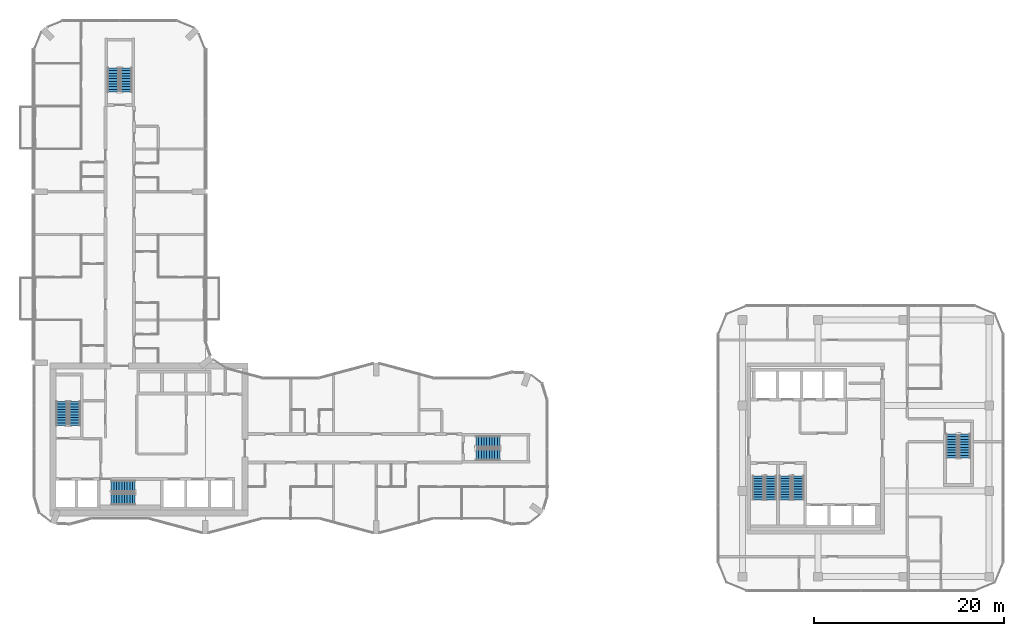
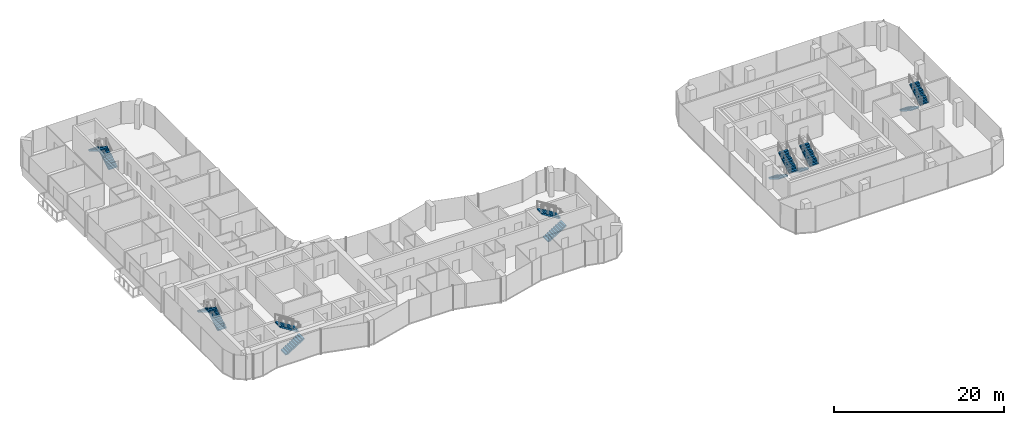
# One storey, part 19 of 22: 14 stair flights, 7 elements without a shape of their own.
"""IFC4 building model written with IfcOpenShell, lengths in metres."""

from ifc_helpers import new_model, si_unit, direction, frame, origin, place, context, subcontext, project, spatial, polyline, outline, extrude, material, type_object, element, aggregate, save


model = new_model("IFC4")

# Units and contexts
model_context = context("Model", 3, precision=1e-05, world=origin(), true_north=direction((0.0, 1.0)))
body_context = subcontext(model_context, "Body", "Model", "MODEL_VIEW")
ifc_project = project(units=[si_unit("LENGTHUNIT", "METRE"), si_unit("AREAUNIT", "SQUARE_METRE"), si_unit("VOLUMEUNIT", "CUBIC_METRE"), si_unit("PLANEANGLEUNIT", "RADIAN"), si_unit("MASSUNIT", "GRAM", prefix="KILO")], contexts=[model_context])

# Site, building, storey
site_placement = place(None, origin())
site = spatial("IfcSite", under=ifc_project, at=site_placement, CompositionType="ELEMENT")
building_placement = place(site_placement, origin())
building = spatial("IfcBuilding", under=site, at=building_placement, Name="Plateau Cross Towers", CompositionType="ELEMENT")
storey_placement = place(building_placement, frame((0.0, 0.0, 113.300048828125)))
storey = spatial("IfcBuildingStorey", under=building, at=storey_placement, Name="L29", CompositionType="ELEMENT", Elevation=113.300048828125)

# Stair, stair flights
ifc_material = material(Name="Concrete C40/50", Category="concrete")
stair_type = type_object("IfcStairType", Name="ST-TWR", PredefinedType="HALF_TURN_STAIR", material=ifc_material)
stair_1_placement = place(storey_placement, origin())
stair_1 = element("IfcStair", 1, at=stair_1_placement, inside=storey, type_object=stair_type, Name="L29 Protected Exit Stair ST-1", PredefinedType="HALF_TURN_STAIR")
stair_flight_type = type_object("IfcStairFlightType", Name="SFL-RC", PredefinedType="STRAIGHT", material=ifc_material)
stair_flight_1_placement = place(storey_placement, frame((4.25, 11.39990234375, 0.0), z_axis=(0.0, 0.0, 1.0), x_axis=(0.0, 1.0, 0.0)))
stair_flight_1 = element("IfcStairFlight", 2, at=stair_flight_1_placement, type_object=stair_flight_type, Name="ST-1 flight 1", NumberOfRisers=10, NumberOfTreads=9, PredefinedType="STRAIGHT", RiserHeight=0.175, TreadLength=0.28, context=body_context, shape_type="SweptSolid", body=[
    extrude(outline(polyline([(-0.0048828125, -0.010009765625), (-0.0048828125, 0.0), (0.0, 0.0), (0.0, 0.175048828125), (0.280029296875, 0.175048828125), (0.280029296875, 0.35009765625), (0.56005859375, 0.35009765625), (0.56005859375, 0.52490234375), (0.840087890625, 0.52490234375), (0.840087890625, 0.699951171875), (1.1201171875, 0.699951171875), (1.1201171875, 0.875), (1.39990234375, 0.875), (1.39990234375, 1.050048828125), (1.679931640625, 1.050048828125), (1.679931640625, 1.22509765625), (1.9599609375, 1.22509765625), (1.9599609375, 1.39990234375), (2.239990234375, 1.39990234375), (2.239990234375, 1.574951171875), (2.52001953125, 1.574951171875), (2.52490234375, 1.56494140625), (2.52490234375, 1.398193359375), (2.52001953125, 1.398193359375), (0.28271484375, 0.0), (0.02001953125, 0.0), (0.02001953125, -0.010009765625), (-0.0048828125, -0.010009765625)])), frame((0.0, 0.60009765625, 0.0), z_axis=(0.0, -1.0, 0.0), x_axis=(1.0, 0.0, 0.0)), (0.0, 0.0, 1.0), 1.199951171875),
])
stair_flight_2_placement = place(storey_placement, frame((2.89990234375, 13.919921875, 1.75), z_axis=(0.0, 0.0, 1.0), x_axis=(0.0, -1.0, 0.0)))
stair_flight_2 = element("IfcStairFlight", 3, at=stair_flight_2_placement, type_object=stair_flight_type, Name="ST-1 flight 2", NumberOfRisers=10, NumberOfTreads=9, PredefinedType="STRAIGHT", RiserHeight=0.175, TreadLength=0.28, context=body_context, shape_type="SweptSolid", body=[
    extrude(outline(polyline([(-0.0048828125, -0.010009765625), (-0.0048828125, 0.0), (0.0, 0.0), (0.0, 0.175048828125), (0.280029296875, 0.175048828125), (0.280029296875, 0.35009765625), (0.56005859375, 0.35009765625), (0.56005859375, 0.52490234375), (0.840087890625, 0.52490234375), (0.840087890625, 0.699951171875), (1.1201171875, 0.699951171875), (1.1201171875, 0.875), (1.39990234375, 0.875), (1.39990234375, 1.050048828125), (1.679931640625, 1.050048828125), (1.679931640625, 1.22509765625), (1.9599609375, 1.22509765625), (1.9599609375, 1.39990234375), (2.239990234375, 1.39990234375), (2.239990234375, 1.574951171875), (2.52001953125, 1.574951171875), (2.52490234375, 1.56494140625), (2.52490234375, 1.398193359375), (2.52001953125, 1.398193359375), (0.28271484375, 0.0), (0.02001953125, 0.0), (0.02001953125, -0.010009765625), (-0.0048828125, -0.010009765625)])), frame((0.0, 0.60009765625, 0.0), z_axis=(0.0, -1.0, 0.0), x_axis=(1.0, 0.0, 0.0)), (0.0, 0.0, 1.0), 1.199951171875),
])
aggregate(stair_1, [stair_flight_1, stair_flight_2])

stair_2_placement = place(storey_placement, origin())
stair_2 = element("IfcStair", 4, at=stair_2_placement, inside=storey, type_object=stair_type, Name="L29 Protected Exit Stair ST-2", PredefinedType="HALF_TURN_STAIR")
stair_flight_3_placement = place(storey_placement, frame((8.10009765625, 3.64990234375, 0.0), z_axis=(0.0, 0.0, 1.0), x_axis=(1.0, 0.0, 0.0)))
stair_flight_3 = element("IfcStairFlight", 5, at=stair_flight_3_placement, type_object=stair_flight_type, Name="ST-2 flight 1", NumberOfRisers=10, NumberOfTreads=9, PredefinedType="STRAIGHT", RiserHeight=0.175, TreadLength=0.28, context=body_context, shape_type="SweptSolid", body=[
    extrude(outline(polyline([(-0.0048828125, -0.010009765625), (-0.0048828125, 0.0), (0.0, 0.0), (0.0, 0.175048828125), (0.280029296875, 0.175048828125), (0.280029296875, 0.35009765625), (0.56005859375, 0.35009765625), (0.56005859375, 0.52490234375), (0.840087890625, 0.52490234375), (0.840087890625, 0.699951171875), (1.1201171875, 0.699951171875), (1.1201171875, 0.875), (1.39990234375, 0.875), (1.39990234375, 1.050048828125), (1.679931640625, 1.050048828125), (1.679931640625, 1.22509765625), (1.9599609375, 1.22509765625), (1.9599609375, 1.39990234375), (2.239990234375, 1.39990234375), (2.239990234375, 1.574951171875), (2.52001953125, 1.574951171875), (2.52490234375, 1.56494140625), (2.52490234375, 1.398193359375), (2.52001953125, 1.398193359375), (0.28271484375, 0.0), (0.02001953125, 0.0), (0.02001953125, -0.010009765625), (-0.0048828125, -0.010009765625)])), frame((0.0, 0.60009765625, 0.0), z_axis=(0.0, -1.0, 0.0), x_axis=(1.0, 0.0, 0.0)), (0.0, 0.0, 1.0), 1.199951171875),
])
stair_flight_4_placement = place(storey_placement, frame((10.6201171875, 5.0, 1.75), z_axis=(0.0, 0.0, 1.0), x_axis=(-1.0, 0.0, 0.0)))
stair_flight_4 = element("IfcStairFlight", 6, at=stair_flight_4_placement, type_object=stair_flight_type, Name="ST-2 flight 2", NumberOfRisers=10, NumberOfTreads=9, PredefinedType="STRAIGHT", RiserHeight=0.175, TreadLength=0.28, context=body_context, shape_type="SweptSolid", body=[
    extrude(outline(polyline([(-0.0048828125, -0.010009765625), (-0.0048828125, 0.0), (0.0, 0.0), (0.0, 0.175048828125), (0.280029296875, 0.175048828125), (0.280029296875, 0.35009765625), (0.56005859375, 0.35009765625), (0.56005859375, 0.52490234375), (0.840087890625, 0.52490234375), (0.840087890625, 0.699951171875), (1.1201171875, 0.699951171875), (1.1201171875, 0.875), (1.39990234375, 0.875), (1.39990234375, 1.050048828125), (1.679931640625, 1.050048828125), (1.679931640625, 1.22509765625), (1.9599609375, 1.22509765625), (1.9599609375, 1.39990234375), (2.239990234375, 1.39990234375), (2.239990234375, 1.574951171875), (2.52001953125, 1.574951171875), (2.52490234375, 1.56494140625), (2.52490234375, 1.398193359375), (2.52001953125, 1.398193359375), (0.28271484375, 0.0), (0.02001953125, 0.0), (0.02001953125, -0.010009765625), (-0.0048828125, -0.010009765625)])), frame((0.0, 0.60009765625, 0.0), z_axis=(0.0, -1.0, 0.0), x_axis=(1.0, 0.0, 0.0)), (0.0, 0.0, 1.0), 1.199951171875),
])
aggregate(stair_2, [stair_flight_3, stair_flight_4])

stair_3_placement = place(storey_placement, origin())
stair_3 = element("IfcStair", 7, at=stair_3_placement, inside=storey, type_object=stair_type, Name="L29 Protected Exit Stair SB-1", PredefinedType="HALF_TURN_STAIR")
stair_flight_5_placement = place(storey_placement, frame((76.199951171875, 6.10009765625, 0.0), z_axis=(0.0, 0.0, 1.0), x_axis=(0.0, -1.0, 0.0)))
stair_flight_5 = element("IfcStairFlight", 8, at=stair_flight_5_placement, type_object=stair_flight_type, Name="SB-1 flight 1", NumberOfRisers=10, NumberOfTreads=9, PredefinedType="STRAIGHT", RiserHeight=0.175, TreadLength=0.28, context=body_context, shape_type="SweptSolid", body=[
    extrude(outline(polyline([(-0.0048828125, -0.010009765625), (-0.0048828125, 0.0), (0.0, 0.0), (0.0, 0.175048828125), (0.280029296875, 0.175048828125), (0.280029296875, 0.35009765625), (0.56005859375, 0.35009765625), (0.56005859375, 0.52490234375), (0.840087890625, 0.52490234375), (0.840087890625, 0.699951171875), (1.1201171875, 0.699951171875), (1.1201171875, 0.875), (1.39990234375, 0.875), (1.39990234375, 1.050048828125), (1.679931640625, 1.050048828125), (1.679931640625, 1.22509765625), (1.9599609375, 1.22509765625), (1.9599609375, 1.39990234375), (2.239990234375, 1.39990234375), (2.239990234375, 1.574951171875), (2.52001953125, 1.574951171875), (2.52490234375, 1.56494140625), (2.52490234375, 1.398193359375), (2.52001953125, 1.398193359375), (0.28271484375, 0.0), (0.02001953125, 0.0), (0.02001953125, -0.010009765625), (-0.0048828125, -0.010009765625)])), frame((0.0, 0.60009765625, 0.0), z_axis=(0.0, -1.0, 0.0), x_axis=(1.0, 0.0, 0.0)), (0.0, 0.0, 1.0), 1.199951171875),
])
stair_flight_6_placement = place(storey_placement, frame((77.550048828125, 3.580078125, 1.75), z_axis=(0.0, 0.0, 1.0), x_axis=(0.0, 1.0, 0.0)))
stair_flight_6 = element("IfcStairFlight", 9, at=stair_flight_6_placement, type_object=stair_flight_type, Name="SB-1 flight 2", NumberOfRisers=10, NumberOfTreads=9, PredefinedType="STRAIGHT", RiserHeight=0.175, TreadLength=0.28, context=body_context, shape_type="SweptSolid", body=[
    extrude(outline(polyline([(-0.0048828125, -0.010009765625), (-0.0048828125, 0.0), (0.0, 0.0), (0.0, 0.175048828125), (0.280029296875, 0.175048828125), (0.280029296875, 0.35009765625), (0.56005859375, 0.35009765625), (0.56005859375, 0.52490234375), (0.840087890625, 0.52490234375), (0.840087890625, 0.699951171875), (1.1201171875, 0.699951171875), (1.1201171875, 0.875), (1.39990234375, 0.875), (1.39990234375, 1.050048828125), (1.679931640625, 1.050048828125), (1.679931640625, 1.22509765625), (1.9599609375, 1.22509765625), (1.9599609375, 1.39990234375), (2.239990234375, 1.39990234375), (2.239990234375, 1.574951171875), (2.52001953125, 1.574951171875), (2.52490234375, 1.56494140625), (2.52490234375, 1.398193359375), (2.52001953125, 1.398193359375), (0.28271484375, 0.0), (0.02001953125, 0.0), (0.02001953125, -0.010009765625), (-0.0048828125, -0.010009765625)])), frame((0.0, 0.60009765625, 0.0), z_axis=(0.0, -1.0, 0.0), x_axis=(1.0, 0.0, 0.0)), (0.0, 0.0, 1.0), 1.199951171875),
])
aggregate(stair_3, [stair_flight_5, stair_flight_6])

stair_4_placement = place(storey_placement, origin())
stair_4 = element("IfcStair", 10, at=stair_4_placement, inside=storey, type_object=stair_type, Name="L29 Protected Exit Stair SB-2", PredefinedType="HALF_TURN_STAIR")
stair_flight_7_placement = place(storey_placement, frame((79.050048828125, 6.10009765625, 0.0), z_axis=(0.0, 0.0, 1.0), x_axis=(0.0, -1.0, 0.0)))
stair_flight_7 = element("IfcStairFlight", 11, at=stair_flight_7_placement, type_object=stair_flight_type, Name="SB-2 flight 1", NumberOfRisers=10, NumberOfTreads=9, PredefinedType="STRAIGHT", RiserHeight=0.175, TreadLength=0.28, context=body_context, shape_type="SweptSolid", body=[
    extrude(outline(polyline([(-0.0048828125, -0.010009765625), (-0.0048828125, 0.0), (0.0, 0.0), (0.0, 0.175048828125), (0.280029296875, 0.175048828125), (0.280029296875, 0.35009765625), (0.56005859375, 0.35009765625), (0.56005859375, 0.52490234375), (0.840087890625, 0.52490234375), (0.840087890625, 0.699951171875), (1.1201171875, 0.699951171875), (1.1201171875, 0.875), (1.39990234375, 0.875), (1.39990234375, 1.050048828125), (1.679931640625, 1.050048828125), (1.679931640625, 1.22509765625), (1.9599609375, 1.22509765625), (1.9599609375, 1.39990234375), (2.239990234375, 1.39990234375), (2.239990234375, 1.574951171875), (2.52001953125, 1.574951171875), (2.52490234375, 1.56494140625), (2.52490234375, 1.398193359375), (2.52001953125, 1.398193359375), (0.28271484375, 0.0), (0.02001953125, 0.0), (0.02001953125, -0.010009765625), (-0.0048828125, -0.010009765625)])), frame((0.0, 0.60009765625, 0.0), z_axis=(0.0, -1.0, 0.0), x_axis=(1.0, 0.0, 0.0)), (0.0, 0.0, 1.0), 1.199951171875),
])
stair_flight_8_placement = place(storey_placement, frame((80.39990234375, 3.580078125, 1.75), z_axis=(0.0, 0.0, 1.0), x_axis=(0.0, 1.0, 0.0)))
stair_flight_8 = element("IfcStairFlight", 12, at=stair_flight_8_placement, type_object=stair_flight_type, Name="SB-2 flight 2", NumberOfRisers=10, NumberOfTreads=9, PredefinedType="STRAIGHT", RiserHeight=0.175, TreadLength=0.28, context=body_context, shape_type="SweptSolid", body=[
    extrude(outline(polyline([(-0.0048828125, -0.010009765625), (-0.0048828125, 0.0), (0.0, 0.0), (0.0, 0.175048828125), (0.280029296875, 0.175048828125), (0.280029296875, 0.35009765625), (0.56005859375, 0.35009765625), (0.56005859375, 0.52490234375), (0.840087890625, 0.52490234375), (0.840087890625, 0.699951171875), (1.1201171875, 0.699951171875), (1.1201171875, 0.875), (1.39990234375, 0.875), (1.39990234375, 1.050048828125), (1.679931640625, 1.050048828125), (1.679931640625, 1.22509765625), (1.9599609375, 1.22509765625), (1.9599609375, 1.39990234375), (2.239990234375, 1.39990234375), (2.239990234375, 1.574951171875), (2.52001953125, 1.574951171875), (2.52490234375, 1.56494140625), (2.52490234375, 1.398193359375), (2.52001953125, 1.398193359375), (0.28271484375, 0.0), (0.02001953125, 0.0), (0.02001953125, -0.010009765625), (-0.0048828125, -0.010009765625)])), frame((0.0, 0.60009765625, 0.0), z_axis=(0.0, -1.0, 0.0), x_axis=(1.0, 0.0, 0.0)), (0.0, 0.0, 1.0), 1.199951171875),
])
aggregate(stair_4, [stair_flight_7, stair_flight_8])

stair_5_placement = place(storey_placement, origin())
stair_5 = element("IfcStair", 13, at=stair_5_placement, inside=storey, type_object=stair_type, Name="L29 Protected Exit Stair SB-3", PredefinedType="HALF_TURN_STAIR")
stair_flight_9_placement = place(storey_placement, frame((96.60009765625, 10.5, 0.0), z_axis=(0.0, 0.0, 1.0), x_axis=(0.0, -1.0, 0.0)))
stair_flight_9 = element("IfcStairFlight", 14, at=stair_flight_9_placement, type_object=stair_flight_type, Name="SB-3 flight 1", NumberOfRisers=10, NumberOfTreads=9, PredefinedType="STRAIGHT", RiserHeight=0.175, TreadLength=0.28, context=body_context, shape_type="SweptSolid", body=[
    extrude(outline(polyline([(-0.0048828125, -0.010009765625), (-0.0048828125, 0.0), (0.0, 0.0), (0.0, 0.175048828125), (0.280029296875, 0.175048828125), (0.280029296875, 0.35009765625), (0.56005859375, 0.35009765625), (0.56005859375, 0.52490234375), (0.840087890625, 0.52490234375), (0.840087890625, 0.699951171875), (1.1201171875, 0.699951171875), (1.1201171875, 0.875), (1.39990234375, 0.875), (1.39990234375, 1.050048828125), (1.679931640625, 1.050048828125), (1.679931640625, 1.22509765625), (1.9599609375, 1.22509765625), (1.9599609375, 1.39990234375), (2.239990234375, 1.39990234375), (2.239990234375, 1.574951171875), (2.52001953125, 1.574951171875), (2.52490234375, 1.56494140625), (2.52490234375, 1.398193359375), (2.52001953125, 1.398193359375), (0.28271484375, 0.0), (0.02001953125, 0.0), (0.02001953125, -0.010009765625), (-0.0048828125, -0.010009765625)])), frame((0.0, 0.60009765625, 0.0), z_axis=(0.0, -1.0, 0.0), x_axis=(1.0, 0.0, 0.0)), (0.0, 0.0, 1.0), 1.199951171875),
])
stair_flight_10_placement = place(storey_placement, frame((97.949951171875, 7.97998046875, 1.75), z_axis=(0.0, 0.0, 1.0), x_axis=(0.0, 1.0, 0.0)))
stair_flight_10 = element("IfcStairFlight", 15, at=stair_flight_10_placement, type_object=stair_flight_type, Name="SB-3 flight 2", NumberOfRisers=10, NumberOfTreads=9, PredefinedType="STRAIGHT", RiserHeight=0.175, TreadLength=0.28, context=body_context, shape_type="SweptSolid", body=[
    extrude(outline(polyline([(-0.0048828125, -0.010009765625), (-0.0048828125, 0.0), (0.0, 0.0), (0.0, 0.175048828125), (0.280029296875, 0.175048828125), (0.280029296875, 0.35009765625), (0.56005859375, 0.35009765625), (0.56005859375, 0.52490234375), (0.840087890625, 0.52490234375), (0.840087890625, 0.699951171875), (1.1201171875, 0.699951171875), (1.1201171875, 0.875), (1.39990234375, 0.875), (1.39990234375, 1.050048828125), (1.679931640625, 1.050048828125), (1.679931640625, 1.22509765625), (1.9599609375, 1.22509765625), (1.9599609375, 1.39990234375), (2.239990234375, 1.39990234375), (2.239990234375, 1.574951171875), (2.52001953125, 1.574951171875), (2.52490234375, 1.56494140625), (2.52490234375, 1.398193359375), (2.52001953125, 1.398193359375), (0.28271484375, 0.0), (0.02001953125, 0.0), (0.02001953125, -0.010009765625), (-0.0048828125, -0.010009765625)])), frame((0.0, 0.60009765625, 0.0), z_axis=(0.0, -1.0, 0.0), x_axis=(1.0, 0.0, 0.0)), (0.0, 0.0, 1.0), 1.199951171875),
])
aggregate(stair_5, [stair_flight_9, stair_flight_10])

stair_6_placement = place(storey_placement, origin())
stair_6 = element("IfcStair", 16, at=stair_6_placement, inside=storey, type_object=stair_type, Name="L29 Protected Exit Stair E", PredefinedType="HALF_TURN_STAIR")
stair_flight_11_placement = place(storey_placement, frame((46.5, 8.324951171875, 0.0), z_axis=(0.0, 0.0, 1.0), x_axis=(1.0, 0.0, 0.0)))
stair_flight_11 = element("IfcStairFlight", 17, at=stair_flight_11_placement, type_object=stair_flight_type, Name="ES-E flight 1", NumberOfRisers=10, NumberOfTreads=9, PredefinedType="STRAIGHT", RiserHeight=0.175, TreadLength=0.28, context=body_context, shape_type="SweptSolid", body=[
    extrude(outline(polyline([(-0.0048828125, -0.010009765625), (-0.0048828125, 0.0), (0.0, 0.0), (0.0, 0.175048828125), (0.280029296875, 0.175048828125), (0.280029296875, 0.35009765625), (0.56005859375, 0.35009765625), (0.56005859375, 0.52490234375), (0.840087890625, 0.52490234375), (0.840087890625, 0.699951171875), (1.1201171875, 0.699951171875), (1.1201171875, 0.875), (1.39990234375, 0.875), (1.39990234375, 1.050048828125), (1.679931640625, 1.050048828125), (1.679931640625, 1.22509765625), (1.9599609375, 1.22509765625), (1.9599609375, 1.39990234375), (2.239990234375, 1.39990234375), (2.239990234375, 1.574951171875), (2.52001953125, 1.574951171875), (2.52490234375, 1.56494140625), (2.52490234375, 1.398193359375), (2.52001953125, 1.398193359375), (0.28271484375, 0.0), (0.02001953125, 0.0), (0.02001953125, -0.010009765625), (-0.0048828125, -0.010009765625)])), frame((0.0, 0.60009765625, 0.0), z_axis=(0.0, -1.0, 0.0), x_axis=(1.0, 0.0, 0.0)), (0.0, 0.0, 1.0), 1.199951171875),
])
stair_flight_12_placement = place(storey_placement, frame((49.02001953125, 9.675048828125, 1.75), z_axis=(0.0, 0.0, 1.0), x_axis=(-1.0, 0.0, 0.0)))
stair_flight_12 = element("IfcStairFlight", 18, at=stair_flight_12_placement, type_object=stair_flight_type, Name="ES-E flight 2", NumberOfRisers=10, NumberOfTreads=9, PredefinedType="STRAIGHT", RiserHeight=0.175, TreadLength=0.28, context=body_context, shape_type="SweptSolid", body=[
    extrude(outline(polyline([(-0.0048828125, -0.010009765625), (-0.0048828125, 0.0), (0.0, 0.0), (0.0, 0.175048828125), (0.280029296875, 0.175048828125), (0.280029296875, 0.35009765625), (0.56005859375, 0.35009765625), (0.56005859375, 0.52490234375), (0.840087890625, 0.52490234375), (0.840087890625, 0.699951171875), (1.1201171875, 0.699951171875), (1.1201171875, 0.875), (1.39990234375, 0.875), (1.39990234375, 1.050048828125), (1.679931640625, 1.050048828125), (1.679931640625, 1.22509765625), (1.9599609375, 1.22509765625), (1.9599609375, 1.39990234375), (2.239990234375, 1.39990234375), (2.239990234375, 1.574951171875), (2.52001953125, 1.574951171875), (2.52490234375, 1.56494140625), (2.52490234375, 1.398193359375), (2.52001953125, 1.398193359375), (0.28271484375, 0.0), (0.02001953125, 0.0), (0.02001953125, -0.010009765625), (-0.0048828125, -0.010009765625)])), frame((0.0, 0.60009765625, 0.0), z_axis=(0.0, -1.0, 0.0), x_axis=(1.0, 0.0, 0.0)), (0.0, 0.0, 1.0), 1.199951171875),
])
aggregate(stair_6, [stair_flight_11, stair_flight_12])

stair_7_placement = place(storey_placement, origin())
stair_7 = element("IfcStair", 19, at=stair_7_placement, inside=storey, type_object=stair_type, Name="L29 Protected Exit Stair N", PredefinedType="HALF_TURN_STAIR")
stair_flight_13_placement = place(storey_placement, frame((9.675048828125, 46.5, 0.0), z_axis=(0.0, 0.0, 1.0), x_axis=(0.0, 1.0, 0.0)))
stair_flight_13 = element("IfcStairFlight", 20, at=stair_flight_13_placement, type_object=stair_flight_type, Name="ES-N flight 1", NumberOfRisers=10, NumberOfTreads=9, PredefinedType="STRAIGHT", RiserHeight=0.175, TreadLength=0.28, context=body_context, shape_type="SweptSolid", body=[
    extrude(outline(polyline([(-0.0048828125, -0.010009765625), (-0.0048828125, 0.0), (0.0, 0.0), (0.0, 0.175048828125), (0.280029296875, 0.175048828125), (0.280029296875, 0.35009765625), (0.56005859375, 0.35009765625), (0.56005859375, 0.52490234375), (0.840087890625, 0.52490234375), (0.840087890625, 0.699951171875), (1.1201171875, 0.699951171875), (1.1201171875, 0.875), (1.39990234375, 0.875), (1.39990234375, 1.050048828125), (1.679931640625, 1.050048828125), (1.679931640625, 1.22509765625), (1.9599609375, 1.22509765625), (1.9599609375, 1.39990234375), (2.239990234375, 1.39990234375), (2.239990234375, 1.574951171875), (2.52001953125, 1.574951171875), (2.52490234375, 1.56494140625), (2.52490234375, 1.398193359375), (2.52001953125, 1.398193359375), (0.28271484375, 0.0), (0.02001953125, 0.0), (0.02001953125, -0.010009765625), (-0.0048828125, -0.010009765625)])), frame((0.0, 0.60009765625, 0.0), z_axis=(0.0, -1.0, 0.0), x_axis=(1.0, 0.0, 0.0)), (0.0, 0.0, 1.0), 1.199951171875),
])
stair_flight_14_placement = place(storey_placement, frame((8.324951171875, 49.02001953125, 1.75), z_axis=(0.0, 0.0, 1.0), x_axis=(0.0, -1.0, 0.0)))
stair_flight_14 = element("IfcStairFlight", 21, at=stair_flight_14_placement, type_object=stair_flight_type, Name="ES-N flight 2", NumberOfRisers=10, NumberOfTreads=9, PredefinedType="STRAIGHT", RiserHeight=0.175, TreadLength=0.28, context=body_context, shape_type="SweptSolid", body=[
    extrude(outline(polyline([(-0.0048828125, -0.010009765625), (-0.0048828125, 0.0), (0.0, 0.0), (0.0, 0.175048828125), (0.280029296875, 0.175048828125), (0.280029296875, 0.35009765625), (0.56005859375, 0.35009765625), (0.56005859375, 0.52490234375), (0.840087890625, 0.52490234375), (0.840087890625, 0.699951171875), (1.1201171875, 0.699951171875), (1.1201171875, 0.875), (1.39990234375, 0.875), (1.39990234375, 1.050048828125), (1.679931640625, 1.050048828125), (1.679931640625, 1.22509765625), (1.9599609375, 1.22509765625), (1.9599609375, 1.39990234375), (2.239990234375, 1.39990234375), (2.239990234375, 1.574951171875), (2.52001953125, 1.574951171875), (2.52490234375, 1.56494140625), (2.52490234375, 1.398193359375), (2.52001953125, 1.398193359375), (0.28271484375, 0.0), (0.02001953125, 0.0), (0.02001953125, -0.010009765625), (-0.0048828125, -0.010009765625)])), frame((0.0, 0.60009765625, 0.0), z_axis=(0.0, -1.0, 0.0), x_axis=(1.0, 0.0, 0.0)), (0.0, 0.0, 1.0), 1.199951171875),
])
aggregate(stair_7, [stair_flight_13, stair_flight_14])

save(model, "model.ifc")
